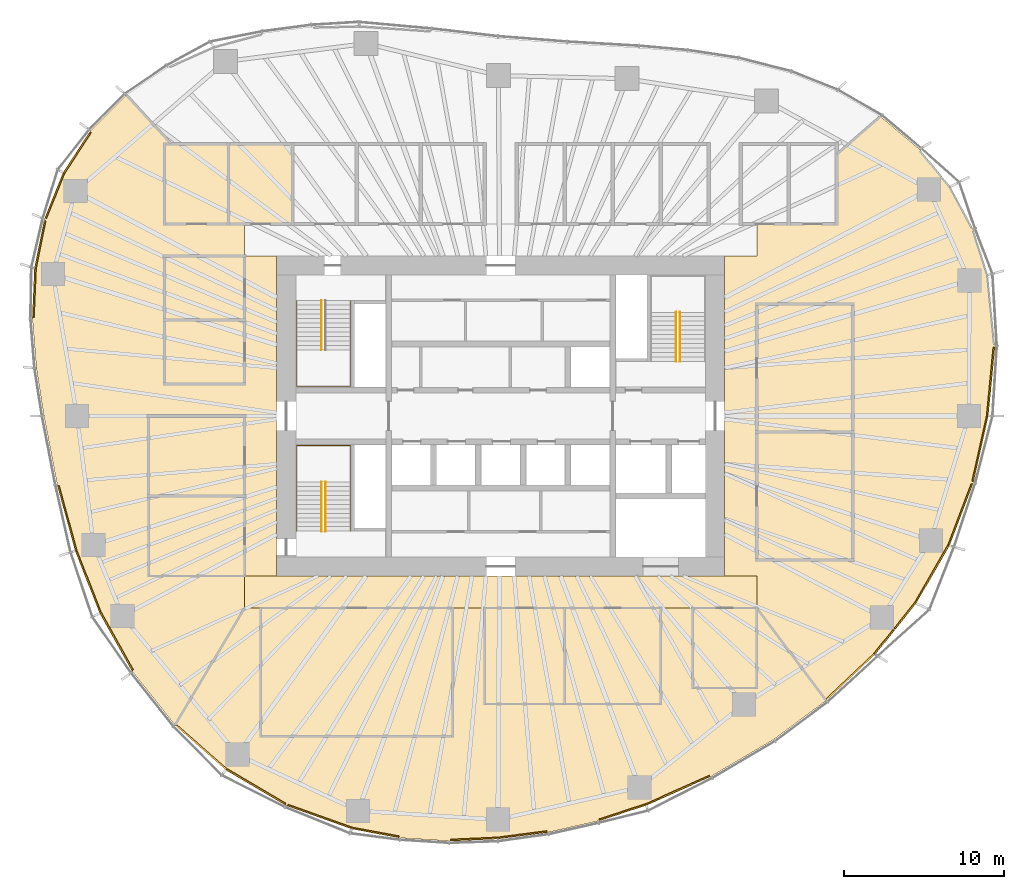
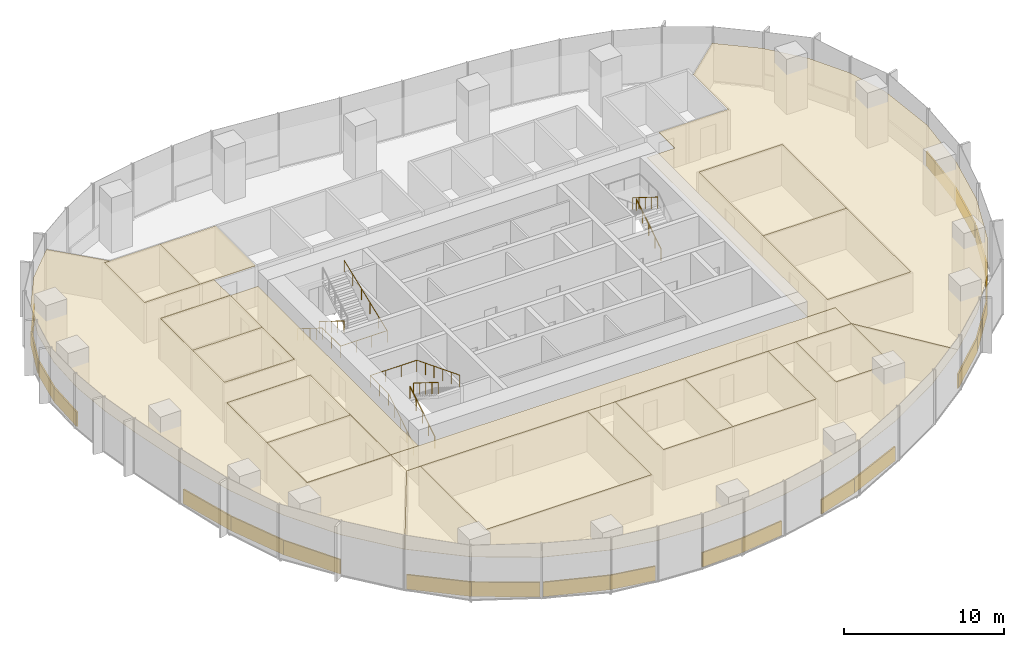
# One storey, part 17 of 18: 38 coverings, 7 railings.
"""IFC4 building model written with IfcOpenShell, lengths in metres."""

from ifc_helpers import new_model, si_unit, direction, frame, origin, origin_2d, place, context, subcontext, project, spatial, polyline, rectangle, circle, outline, extrude, material, layer, layer_set, type_object, element, save


model = new_model("IFC4")

# Units and contexts
model_context = context("Model", 3, precision=1e-05, world=origin(), true_north=direction((0.0, 1.0)))
body_context = subcontext(model_context, "Body", "Model", "MODEL_VIEW")
ifc_project = project(units=[si_unit("LENGTHUNIT", "METRE"), si_unit("AREAUNIT", "SQUARE_METRE"), si_unit("VOLUMEUNIT", "CUBIC_METRE"), si_unit("PLANEANGLEUNIT", "RADIAN"), si_unit("MASSUNIT", "GRAM", prefix="KILO")], contexts=[model_context])

# Site, building, storey
site_placement = place(None, origin())
site = spatial("IfcSite", under=ifc_project, at=site_placement, CompositionType="ELEMENT")
building_placement = place(site_placement, origin())
building = spatial("IfcBuilding", under=site, at=building_placement, Name="Ghaith Harvest Tower", CompositionType="ELEMENT")
storey_placement = place(building_placement, frame((0.0, 0.0, 138.60009765625)))
storey = spatial("IfcBuildingStorey", under=building, at=storey_placement, Name="L29", CompositionType="ELEMENT", Elevation=138.60009765625)

# Coverings
ifc_material_1 = material(Name="Mineral fibre ceiling tile", Category="gypsum")
ifc_layer_1 = layer(ifc_material_1, 0.02001953125)
ifc_layer_set_1 = layer_set([ifc_layer_1], Name="CEILING C1")
covering_type_1 = type_object("IfcCoveringType", Name="CEILING C1", PredefinedType="CEILING", material=ifc_layer_set_1)
covering_1_placement = place(storey_placement, frame((0.0, 0.0, 3.0)))
element("IfcCovering", 1, at=covering_1_placement, inside=storey, type_object=covering_type_1, Name="Ceiling L29-01", PredefinedType="CEILING", context=body_context, shape_type="SweptSolid", body=[
    extrude(outline(polyline([(-15.0, -20.0), (-3.0, -20.0), (-3.0, -12.0), (-15.0, -12.0), (-15.0, -20.0)])), origin(), (0.0, 0.0, 1.0), 0.02001953125),
])
covering_2_placement = place(storey_placement, frame((0.0, 0.0, 3.0)))
element("IfcCovering", 2, at=covering_2_placement, inside=storey, type_object=covering_type_1, Name="Ceiling L29-02", PredefinedType="CEILING", context=body_context, shape_type="SweptSolid", body=[
    extrude(outline(polyline([(-1.0, -18.0), (4.0, -18.0), (4.0, -12.0), (-1.0, -12.0), (-1.0, -18.0)])), origin(), (0.0, 0.0, 1.0), 0.02001953125),
])
covering_3_placement = place(storey_placement, frame((0.0, 0.0, 3.0)))
element("IfcCovering", 3, at=covering_3_placement, inside=storey, type_object=covering_type_1, Name="Ceiling L29-03", PredefinedType="CEILING", context=body_context, shape_type="SweptSolid", body=[
    extrude(outline(polyline([(4.0, -18.0), (10.0, -18.0), (10.0, -12.0), (4.0, -12.0), (4.0, -18.0)])), origin(), (0.0, 0.0, 1.0), 0.02001953125),
])
covering_4_placement = place(storey_placement, frame((0.0, 0.0, 3.0)))
element("IfcCovering", 4, at=covering_4_placement, inside=storey, type_object=covering_type_1, Name="Ceiling L29-04", PredefinedType="CEILING", context=body_context, shape_type="SweptSolid", body=[
    extrude(outline(polyline([(-21.0, 12.0), (-17.0, 12.0), (-17.0, 17.0), (-21.0, 17.0), (-21.0, 12.0)])), origin(), (0.0, 0.0, 1.0), 0.02001953125),
])
covering_5_placement = place(storey_placement, frame((0.0, 0.0, 3.0)))
element("IfcCovering", 5, at=covering_5_placement, inside=storey, type_object=covering_type_1, Name="Ceiling L29-05", PredefinedType="CEILING", context=body_context, shape_type="SweptSolid", body=[
    extrude(outline(polyline([(-17.0, 12.0), (-13.0, 12.0), (-13.0, 17.0), (-17.0, 17.0), (-17.0, 12.0)])), origin(), (0.0, 0.0, 1.0), 0.02001953125),
])
covering_6_placement = place(storey_placement, frame((0.0, 0.0, 3.0)))
element("IfcCovering", 6, at=covering_6_placement, inside=storey, type_object=covering_type_1, Name="Ceiling L29-13", PredefinedType="CEILING", context=body_context, shape_type="SweptSolid", body=[
    extrude(outline(polyline([(16.0, -9.0), (22.0, -9.0), (22.0, -1.0), (16.0, -1.0), (16.0, -9.0)])), origin(), (0.0, 0.0, 1.0), 0.02001953125),
])
covering_7_placement = place(storey_placement, frame((0.0, 0.0, 3.0)))
element("IfcCovering", 7, at=covering_7_placement, inside=storey, type_object=covering_type_1, Name="Ceiling L29-14", PredefinedType="CEILING", context=body_context, shape_type="SweptSolid", body=[
    extrude(outline(polyline([(16.0, -1.0), (22.0, -1.0), (22.0, 7.0), (16.0, 7.0), (16.0, -1.0)])), origin(), (0.0, 0.0, 1.0), 0.02001953125),
])
covering_8_placement = place(storey_placement, frame((0.0, 0.0, 3.0)))
element("IfcCovering", 8, at=covering_8_placement, inside=storey, type_object=covering_type_1, Name="Ceiling L29-15", PredefinedType="CEILING", context=body_context, shape_type="SweptSolid", body=[
    extrude(outline(polyline([(-22.0, -10.0), (-16.0, -10.0), (-16.0, -5.0), (-22.0, -5.0), (-22.0, -10.0)])), origin(), (0.0, 0.0, 1.0), 0.02001953125),
])
covering_9_placement = place(storey_placement, frame((0.0, 0.0, 3.0)))
element("IfcCovering", 9, at=covering_9_placement, inside=storey, type_object=covering_type_1, Name="Ceiling L29-16", PredefinedType="CEILING", context=body_context, shape_type="SweptSolid", body=[
    extrude(outline(polyline([(-22.0, -5.0), (-16.0, -5.0), (-16.0, 0.0), (-22.0, 0.0), (-22.0, -5.0)])), origin(), (0.0, 0.0, 1.0), 0.02001953125),
])
covering_10_placement = place(storey_placement, frame((0.0, 0.0, 3.0)))
element("IfcCovering", 10, at=covering_10_placement, inside=storey, type_object=covering_type_1, Name="Ceiling L29-19", PredefinedType="CEILING", context=body_context, shape_type="SweptSolid", body=[
    extrude(outline(polyline([(12.0, -17.0), (16.0, -17.0), (16.0, -12.0), (12.0, -12.0), (12.0, -17.0)])), origin(), (0.0, 0.0, 1.0), 0.02001953125),
])
covering_11_placement = place(storey_placement, frame((0.0, 0.0, 3.0)))
element("IfcCovering", 11, at=covering_11_placement, inside=storey, type_object=covering_type_1, Name="Ceiling L29-20", PredefinedType="CEILING", context=body_context, shape_type="SweptSolid", body=[
    extrude(outline(polyline([(-21.0, 2.0), (-16.0, 2.0), (-16.0, 6.0), (-21.0, 6.0), (-21.0, 2.0)])), origin(), (0.0, 0.0, 1.0), 0.02001953125),
])
covering_12_placement = place(storey_placement, frame((0.0, 0.0, 3.0)))
element("IfcCovering", 12, at=covering_12_placement, inside=storey, type_object=covering_type_1, Name="Ceiling L29-21", PredefinedType="CEILING", context=body_context, shape_type="SweptSolid", body=[
    extrude(outline(polyline([(-21.0, 6.0), (-16.0, 6.0), (-16.0, 10.0), (-21.0, 10.0), (-21.0, 6.0)])), origin(), (0.0, 0.0, 1.0), 0.02001953125),
])
covering_13_placement = place(storey_placement, frame((0.0, 0.0, 3.0)))
element("IfcCovering", 13, at=covering_13_placement, inside=storey, type_object=covering_type_1, Name="Ceiling L29-C2", PredefinedType="CEILING", context=body_context, shape_type="SweptSolid", body=[
    extrude(outline(polyline([(-16.0, -10.0), (16.0, -10.0), (16.0, -12.0), (-16.0, -12.0), (-16.0, -10.0)])), origin(), (0.0, 0.0, 1.0), 0.02001953125),
])
covering_14_placement = place(storey_placement, frame((0.0, 0.0, 3.0)))
element("IfcCovering", 14, at=covering_14_placement, inside=storey, type_object=covering_type_1, Name="Ceiling L29-E1", PredefinedType="CEILING", context=body_context, shape_type="SweptSolid", body=[
    extrude(outline(polyline([(26.179443359375, 16.660888671875), (28.0888671875, 14.32568359375), (29.52294921875, 11.671875), (30.439208984375, 8.797607421875), (30.8798828125, 4.373046875), (30.458740234375, 0.0), (29.527099609375, -4.181396484375), (28.03125, -8.1015625), (25.94775390625, -11.714111328125), (23.400390625, -14.89208984375), (20.33935546875, -17.784912109375), (16.0, -12.0), (16.0, -10.0), (14.0, -10.0), (14.0, 10.0), (16.0, 10.0), (16.0, 12.0), (21.0, 12.0), (21.0, 16.3466796875), (23.7275390625, 18.718017578125), (26.179443359375, 16.660888671875)]), holes=[polyline([(16.0, 7.0), (16.0, -9.0), (22.0, -9.0), (22.0, 7.0), (16.0, 7.0)])]), origin(), (0.0, 0.0, 1.0), 0.02001953125),
])
covering_15_placement = place(storey_placement, frame((0.0, 0.0, 3.0)))
element("IfcCovering", 15, at=covering_15_placement, inside=storey, type_object=covering_type_1, Name="Ceiling L29-S1", PredefinedType="CEILING", context=body_context, shape_type="SweptSolid", body=[
    extrude(outline(polyline([(17.054443359375, -20.22412109375), (13.163818359375, -22.510498046875), (9.09423828125, -24.326904296875), (6.09228515625, -25.308837890625), (2.99609375, -26.010009765625), (-0.180908203125, -26.423583984375), (-3.204833984375, -26.556884765625), (-6.2666015625, -26.366455078125), (-9.317138671875, -25.79638671875), (-13.4052734375, -24.33740234375), (-17.1728515625, -22.11181640625), (-20.35400390625, -19.31396484375), (-16.0, -12.0), (-15.0, -12.0), (-15.0, -20.0), (-3.0, -20.0), (-3.0, -12.0), (-1.0, -12.0), (-1.0, -18.0), (10.0, -18.0), (10.0, -12.0), (12.0, -12.0), (12.0, -17.0), (16.0, -17.0), (16.0, -12.0), (20.33935546875, -17.784912109375), (17.054443359375, -20.22412109375)])), origin(), (0.0, 0.0, 1.0), 0.02001953125),
])
covering_16_placement = place(storey_placement, frame((0.0, 0.0, 3.0)))
element("IfcCovering", 16, at=covering_16_placement, inside=storey, type_object=covering_type_1, Name="Ceiling L29-W1", PredefinedType="CEILING", context=body_context, shape_type="SweptSolid", body=[
    extrude(outline(polyline([(-29.12646484375, 9.230712890625), (-28.506591796875, 12.29638671875), (-27.33837890625, 15.204833984375), (-25.61962890625, 17.826416015625), (-23.398193359375, 20.06103515625), (-20.5888671875, 17.0), (-21.0, 17.0), (-21.0, 12.0), (-16.0, 12.0), (-16.0, 10.010009765625), (-21.010009765625, 10.010009765625), (-21.010009765625, 1.989990234375), (-15.989990234375, 1.989990234375), (-15.989990234375, 10.0), (-14.0, 10.0), (-14.0, -10.0), (-15.989990234375, -10.0), (-15.989990234375, 0.010009765625), (-22.010009765625, 0.010009765625), (-22.010009765625, -10.010009765625), (-16.0, -10.010009765625), (-16.0, -12.0), (-20.35400390625, -19.31396484375), (-22.99169921875, -15.997802734375), (-25.046875, -12.32861328125), (-26.580078125, -8.423583984375), (-27.70947265625, -4.285888671875), (-28.541259765625, 0.0), (-29.01171875, 2.978271484375), (-29.260498046875, 6.07177734375), (-29.12646484375, 9.230712890625)])), origin(), (0.0, 0.0, 1.0), 0.02001953125),
])

# Railings
ifc_material_2 = material(Name="Steel, black powder-coated", Category="steel")
railing_type = type_object("IfcRailingType", Name="HANDRAIL HR1", PredefinedType="HANDRAIL", material=ifc_material_2)
railing_1_placement = place(storey_placement, frame((-11.199951171875, 7.199951171875, 0.1748046875)))
element("IfcRailing", 17, at=railing_1_placement, inside=storey, type_object=railing_type, Name="Handrail HR1 stair ST1 L29 flight 1 inner", PredefinedType="HANDRAIL", context=body_context, shape_type="SweptSolid", body=[
    extrude(circle(Radius=0.02392578125, at=origin_2d()), frame((0.0, 0.0, 0.8759765625), z_axis=(0.0, -0.847979421464, 0.530029150871), x_axis=(1.0, 0.0, 0.0)), (0.0, 0.0, 1.0), 3.632080078125),
    extrude(circle(Radius=0.02099609375, at=origin_2d()), origin(), (0.0, 0.0, 1.0), 0.851806640625),
    extrude(circle(Radius=0.02099609375, at=origin_2d()), frame((0.0, -0.77001953125, 0.481201171875)), (0.0, 0.0, 1.0), 0.851806640625),
    extrude(circle(Radius=0.02099609375, at=origin_2d()), frame((0.0, -1.5400390625, 0.96240234375)), (0.0, 0.0, 1.0), 0.851806640625),
    extrude(circle(Radius=0.02099609375, at=origin_2d()), frame((0.0, -2.309814453125, 1.44384765625)), (0.0, 0.0, 1.0), 0.851806640625),
    extrude(circle(Radius=0.02099609375, at=origin_2d()), frame((0.0, -3.079833984375, 1.925048828125)), (0.0, 0.0, 1.0), 0.851806640625),
])
railing_2_placement = place(storey_placement, frame((-12.75, 7.199951171875, 0.1748046875)))
element("IfcRailing", 18, at=railing_2_placement, inside=storey, type_object=railing_type, Name="Handrail HR1 stair ST1 L29 wall side", PredefinedType="HANDRAIL", context=body_context, shape_type="SweptSolid", body=[
    extrude(circle(Radius=0.02392578125, at=origin_2d()), frame((0.0, 0.0, 0.8759765625), z_axis=(0.0, -0.847979421464, 0.530029150871), x_axis=(1.0, 0.0, 0.0)), (0.0, 0.0, 1.0), 3.632080078125),
    extrude(circle(Radius=0.02392578125, at=origin_2d()), frame((0.0, -3.079833984375, 2.80078125), z_axis=(0.0, -1.0, 0.0), x_axis=(1.0, 0.0, 0.0)), (0.0, 0.0, 1.0), 2.27001953125),
    extrude(circle(Radius=0.02392578125, at=origin_2d()), frame((0.0, -5.349853515625, 2.80078125), z_axis=(1.0, 0.0, 0.0), x_axis=(0.0, 1.0, 0.0)), (0.0, 0.0, 1.0), 3.35009765625),
    extrude(circle(Radius=0.02392578125, at=origin_2d()), frame((3.35009765625, -5.349853515625, 2.80078125), z_axis=(0.0, 0.930848013298, 0.36540659017), x_axis=(-1.0, 0.0, 0.0)), (0.0, 0.0, 1.0), 5.747314453125),
    extrude(circle(Radius=0.02099609375, at=origin_2d()), origin(), (0.0, 0.0, 1.0), 0.851806640625),
    extrude(circle(Radius=0.02099609375, at=origin_2d()), frame((0.0, -0.77001953125, 0.481201171875)), (0.0, 0.0, 1.0), 0.851806640625),
    extrude(circle(Radius=0.02099609375, at=origin_2d()), frame((0.0, -1.5400390625, 0.96240234375)), (0.0, 0.0, 1.0), 0.851806640625),
    extrude(circle(Radius=0.02099609375, at=origin_2d()), frame((0.0, -2.309814453125, 1.44384765625)), (0.0, 0.0, 1.0), 0.851806640625),
    extrude(circle(Radius=0.02099609375, at=origin_2d()), frame((0.0, -3.079833984375, 1.925048828125)), (0.0, 0.0, 1.0), 0.851806640625),
    extrude(circle(Radius=0.02099609375, at=origin_2d()), frame((0.0, -4.21484375, 1.925048828125)), (0.0, 0.0, 1.0), 0.851806640625),
    extrude(circle(Radius=0.02099609375, at=origin_2d()), frame((0.0, -5.349853515625, 1.925048828125)), (0.0, 0.0, 1.0), 0.851806640625),
    extrude(circle(Radius=0.02099609375, at=origin_2d()), frame((1.11669921875, -5.349853515625, 1.925048828125)), (0.0, 0.0, 1.0), 0.851806640625),
    extrude(circle(Radius=0.02099609375, at=origin_2d()), frame((2.2333984375, -5.349853515625, 1.925048828125)), (0.0, 0.0, 1.0), 0.851806640625),
    extrude(circle(Radius=0.02099609375, at=origin_2d()), frame((3.35009765625, -5.349853515625, 1.925048828125)), (0.0, 0.0, 1.0), 0.851806640625),
    extrude(circle(Radius=0.02099609375, at=origin_2d()), frame((3.35009765625, -4.27978515625, 2.344970703125)), (0.0, 0.0, 1.0), 0.851806640625),
    extrude(circle(Radius=0.02099609375, at=origin_2d()), frame((3.35009765625, -3.2099609375, 2.76513671875)), (0.0, 0.0, 1.0), 0.851806640625),
    extrude(circle(Radius=0.02099609375, at=origin_2d()), frame((3.35009765625, -2.139892578125, 3.18505859375)), (0.0, 0.0, 1.0), 0.851806640625),
    extrude(circle(Radius=0.02099609375, at=origin_2d()), frame((3.35009765625, -1.070068359375, 3.605224609375)), (0.0, 0.0, 1.0), 0.851806640625),
    extrude(circle(Radius=0.02099609375, at=origin_2d()), frame((3.35009765625, 0.0, 4.025146484375)), (0.0, 0.0, 1.0), 0.851806640625),
])
railing_3_placement = place(storey_placement, frame((-11.199951171875, -7.199951171875, 0.1748046875)))
element("IfcRailing", 19, at=railing_3_placement, inside=storey, type_object=railing_type, Name="Handrail HR1 stair ST3 L29 flight 1 inner", PredefinedType="HANDRAIL", context=body_context, shape_type="SweptSolid", body=[
    extrude(circle(Radius=0.02392578125, at=origin_2d()), frame((0.0, 0.0, 0.8759765625), z_axis=(0.0, 0.847979421464, 0.530029150871), x_axis=(-1.0, 0.0, 0.0)), (0.0, 0.0, 1.0), 3.632080078125),
    extrude(circle(Radius=0.02099609375, at=origin_2d()), origin(), (0.0, 0.0, 1.0), 0.851806640625),
    extrude(circle(Radius=0.02099609375, at=origin_2d()), frame((0.0, 0.77001953125, 0.481201171875)), (0.0, 0.0, 1.0), 0.851806640625),
    extrude(circle(Radius=0.02099609375, at=origin_2d()), frame((0.0, 1.5400390625, 0.96240234375)), (0.0, 0.0, 1.0), 0.851806640625),
    extrude(circle(Radius=0.02099609375, at=origin_2d()), frame((0.0, 2.309814453125, 1.44384765625)), (0.0, 0.0, 1.0), 0.851806640625),
    extrude(circle(Radius=0.02099609375, at=origin_2d()), frame((0.0, 3.079833984375, 1.925048828125)), (0.0, 0.0, 1.0), 0.851806640625),
])
railing_4_placement = place(storey_placement, frame((-10.949951171875, -4.1201171875, 2.27490234375)))
element("IfcRailing", 20, at=railing_4_placement, inside=storey, type_object=railing_type, Name="Handrail HR1 stair ST3 L29 flight 2 inner", PredefinedType="HANDRAIL", context=body_context, shape_type="SweptSolid", body=[
    extrude(circle(Radius=0.02392578125, at=origin_2d()), frame((0.0, 0.0, 0.8759765625), z_axis=(0.0, -0.847979421464, 0.530029150871), x_axis=(1.0, 0.0, 0.0)), (0.0, 0.0, 1.0), 3.632080078125),
    extrude(circle(Radius=0.02099609375, at=origin_2d()), origin(), (0.0, 0.0, 1.0), 0.851806640625),
    extrude(circle(Radius=0.02099609375, at=origin_2d()), frame((0.0, -0.77001953125, 0.481201171875)), (0.0, 0.0, 1.0), 0.851806640625),
    extrude(circle(Radius=0.02099609375, at=origin_2d()), frame((0.0, -1.5400390625, 0.96240234375)), (0.0, 0.0, 1.0), 0.851806640625),
    extrude(circle(Radius=0.02099609375, at=origin_2d()), frame((0.0, -2.309814453125, 1.44384765625)), (0.0, 0.0, 1.0), 0.851806640625),
    extrude(circle(Radius=0.02099609375, at=origin_2d()), frame((0.0, -3.079833984375, 1.925048828125)), (0.0, 0.0, 1.0), 0.851806640625),
])
railing_5_placement = place(storey_placement, frame((-12.75, -7.199951171875, 0.1748046875)))
element("IfcRailing", 21, at=railing_5_placement, inside=storey, type_object=railing_type, Name="Handrail HR1 stair ST3 L29 wall side", PredefinedType="HANDRAIL", context=body_context, shape_type="SweptSolid", body=[
    extrude(circle(Radius=0.02392578125, at=origin_2d()), frame((0.0, 0.0, 0.8759765625), z_axis=(0.0, 0.847979421464, 0.530029150871), x_axis=(-1.0, 0.0, 0.0)), (0.0, 0.0, 1.0), 3.632080078125),
    extrude(circle(Radius=0.02392578125, at=origin_2d()), frame((0.0, 3.079833984375, 2.80078125), z_axis=(0.0, 1.0, 0.0), x_axis=(-1.0, 0.0, 0.0)), (0.0, 0.0, 1.0), 2.27001953125),
    extrude(circle(Radius=0.02392578125, at=origin_2d()), frame((0.0, 5.349853515625, 2.80078125), z_axis=(1.0, 0.0, 0.0), x_axis=(0.0, 1.0, 0.0)), (0.0, 0.0, 1.0), 3.35009765625),
    extrude(circle(Radius=0.02392578125, at=origin_2d()), frame((3.35009765625, 5.349853515625, 2.80078125), z_axis=(0.0, -0.930848013298, 0.36540659017), x_axis=(1.0, 0.0, 0.0)), (0.0, 0.0, 1.0), 5.747314453125),
    extrude(circle(Radius=0.02099609375, at=origin_2d()), origin(), (0.0, 0.0, 1.0), 0.851806640625),
    extrude(circle(Radius=0.02099609375, at=origin_2d()), frame((0.0, 0.77001953125, 0.481201171875)), (0.0, 0.0, 1.0), 0.851806640625),
    extrude(circle(Radius=0.02099609375, at=origin_2d()), frame((0.0, 1.5400390625, 0.96240234375)), (0.0, 0.0, 1.0), 0.851806640625),
    extrude(circle(Radius=0.02099609375, at=origin_2d()), frame((0.0, 2.309814453125, 1.44384765625)), (0.0, 0.0, 1.0), 0.851806640625),
    extrude(circle(Radius=0.02099609375, at=origin_2d()), frame((0.0, 3.079833984375, 1.925048828125)), (0.0, 0.0, 1.0), 0.851806640625),
    extrude(circle(Radius=0.02099609375, at=origin_2d()), frame((0.0, 4.21484375, 1.925048828125)), (0.0, 0.0, 1.0), 0.851806640625),
    extrude(circle(Radius=0.02099609375, at=origin_2d()), frame((0.0, 5.349853515625, 1.925048828125)), (0.0, 0.0, 1.0), 0.851806640625),
    extrude(circle(Radius=0.02099609375, at=origin_2d()), frame((1.11669921875, 5.349853515625, 1.925048828125)), (0.0, 0.0, 1.0), 0.851806640625),
    extrude(circle(Radius=0.02099609375, at=origin_2d()), frame((2.2333984375, 5.349853515625, 1.925048828125)), (0.0, 0.0, 1.0), 0.851806640625),
    extrude(circle(Radius=0.02099609375, at=origin_2d()), frame((3.35009765625, 5.349853515625, 1.925048828125)), (0.0, 0.0, 1.0), 0.851806640625),
    extrude(circle(Radius=0.02099609375, at=origin_2d()), frame((3.35009765625, 4.27978515625, 2.344970703125)), (0.0, 0.0, 1.0), 0.851806640625),
    extrude(circle(Radius=0.02099609375, at=origin_2d()), frame((3.35009765625, 3.2099609375, 2.76513671875)), (0.0, 0.0, 1.0), 0.851806640625),
    extrude(circle(Radius=0.02099609375, at=origin_2d()), frame((3.35009765625, 2.139892578125, 3.18505859375)), (0.0, 0.0, 1.0), 0.851806640625),
    extrude(circle(Radius=0.02099609375, at=origin_2d()), frame((3.35009765625, 1.070068359375, 3.605224609375)), (0.0, 0.0, 1.0), 0.851806640625),
    extrude(circle(Radius=0.02099609375, at=origin_2d()), frame((3.35009765625, 0.0, 4.025146484375)), (0.0, 0.0, 1.0), 0.851806640625),
])
railing_6_placement = place(storey_placement, frame((11.199951171875, 3.39990234375, 0.1748046875)))
element("IfcRailing", 22, at=railing_6_placement, inside=storey, type_object=railing_type, Name="Handrail HR1 stair ST2 L29 flight 1 inner", PredefinedType="HANDRAIL", context=body_context, shape_type="SweptSolid", body=[
    extrude(circle(Radius=0.02392578125, at=origin_2d()), frame((0.0, 0.0, 0.8759765625), z_axis=(0.0, 0.847998304005, 0.529998940003), x_axis=(-1.0, 0.0, 0.0)), (0.0, 0.0, 1.0), 3.632080078125),
    extrude(circle(Radius=0.02099609375, at=origin_2d()), origin(), (0.0, 0.0, 1.0), 0.851806640625),
    extrude(circle(Radius=0.02099609375, at=origin_2d()), frame((0.0, 0.77001953125, 0.481201171875)), (0.0, 0.0, 1.0), 0.851806640625),
    extrude(circle(Radius=0.02099609375, at=origin_2d()), frame((0.0, 1.5400390625, 0.96240234375)), (0.0, 0.0, 1.0), 0.851806640625),
    extrude(circle(Radius=0.02099609375, at=origin_2d()), frame((0.0, 2.31005859375, 1.44384765625)), (0.0, 0.0, 1.0), 0.851806640625),
    extrude(circle(Radius=0.02099609375, at=origin_2d()), frame((0.0, 3.080078125, 1.925048828125)), (0.0, 0.0, 1.0), 0.851806640625),
])
railing_7_placement = place(storey_placement, frame((10.949951171875, 6.47998046875, 2.27490234375)))
element("IfcRailing", 23, at=railing_7_placement, inside=storey, type_object=railing_type, Name="Handrail HR1 stair ST2 L29 flight 2 inner", PredefinedType="HANDRAIL", context=body_context, shape_type="SweptSolid", body=[
    extrude(circle(Radius=0.02392578125, at=origin_2d()), frame((0.0, 0.0, 0.8759765625), z_axis=(0.0, -0.847998304005, 0.529998940003), x_axis=(1.0, 0.0, 0.0)), (0.0, 0.0, 1.0), 3.632080078125),
    extrude(circle(Radius=0.02099609375, at=origin_2d()), origin(), (0.0, 0.0, 1.0), 0.851806640625),
    extrude(circle(Radius=0.02099609375, at=origin_2d()), frame((0.0, -0.77001953125, 0.481201171875)), (0.0, 0.0, 1.0), 0.851806640625),
    extrude(circle(Radius=0.02099609375, at=origin_2d()), frame((0.0, -1.5400390625, 0.96240234375)), (0.0, 0.0, 1.0), 0.851806640625),
    extrude(circle(Radius=0.02099609375, at=origin_2d()), frame((0.0, -2.31005859375, 1.44384765625)), (0.0, 0.0, 1.0), 0.851806640625),
    extrude(circle(Radius=0.02099609375, at=origin_2d()), frame((0.0, -3.080078125, 1.925048828125)), (0.0, 0.0, 1.0), 0.851806640625),
])

# Coverings
ifc_material_3 = material(Name="Insulated aluminium spandrel panel on steel framing", Category="steel")
ifc_layer_2 = layer(ifc_material_3, 0.10009765625)
ifc_layer_set_2 = layer_set([ifc_layer_2], Name="SLAB EDGE UPSTAND 1100x100")
covering_type_2 = type_object("IfcCoveringType", Name="SLAB EDGE UPSTAND 1100x100", PredefinedType="CLADDING", material=ifc_layer_set_2)
covering_17_placement = place(storey_placement, frame((30.61474609375, 2.1416015625, -0.000244140625), z_axis=(0.0, 0.0, 1.0), x_axis=(0.095861332319, 0.99539469808, 0.0)))
element("IfcCovering", 24, at=covering_17_placement, inside=storey, type_object=covering_type_2, Name="Slab edge upstand 1 bay 01 L29", PredefinedType="CLADDING", context=body_context, shape_type="SweptSolid", body=[
    extrude(rectangle(XDim=4.293212890625, YDim=0.10009765625, at=origin_2d()), origin(), (0.0, 0.0, 1.0), 1.10009765625),
])
covering_18_placement = place(storey_placement, frame((-26.464599609375, 16.4462890625, -0.000244140625), z_axis=(0.0, 0.0, 1.0), x_axis=(-0.548312211554, -0.836273710373, 0.0)))
element("IfcCovering", 25, at=covering_18_placement, inside=storey, type_object=covering_type_2, Name="Slab edge upstand 1 bay 09 L29", PredefinedType="CLADDING", context=body_context, shape_type="SweptSolid", body=[
    extrude(rectangle(XDim=3.03466796875, YDim=0.10009765625, at=origin_2d()), origin(), (0.0, 0.0, 1.0), 1.10009765625),
])
covering_19_placement = place(storey_placement, frame((-27.857421875, 13.7783203125, -0.000244140625), z_axis=(0.0, 0.0, 1.0), x_axis=(-0.372732078847, -0.927939005215, 0.0)))
element("IfcCovering", 26, at=covering_19_placement, inside=storey, type_object=covering_type_2, Name="Slab edge upstand 2 bay 09 L29", PredefinedType="CLADDING", context=body_context, shape_type="SweptSolid", body=[
    extrude(rectangle(XDim=3.034423828125, YDim=0.10009765625, at=origin_2d()), origin(), (0.0, 0.0, 1.0), 1.10009765625),
])
covering_20_placement = place(storey_placement, frame((-28.777587890625, 10.70458984375, -0.000244140625), z_axis=(0.0, 0.0, 1.0), x_axis=(-0.198182542943, -0.980165128778, 0.0)))
element("IfcCovering", 27, at=covering_20_placement, inside=storey, type_object=covering_type_2, Name="Slab edge upstand 3 bay 09 L29", PredefinedType="CLADDING", context=body_context, shape_type="SweptSolid", body=[
    extrude(rectangle(XDim=3.027587890625, YDim=0.10009765625, at=origin_2d()), origin(), (0.0, 0.0, 1.0), 1.10009765625),
])
covering_21_placement = place(storey_placement, frame((-29.141357421875, 7.69921875, -0.000244140625), z_axis=(0.0, 0.0, 1.0), x_axis=(-0.042372799788, -0.9991018696, 0.0)))
element("IfcCovering", 28, at=covering_21_placement, inside=storey, type_object=covering_type_2, Name="Slab edge upstand 1 bay 10 L29", PredefinedType="CLADDING", context=body_context, shape_type="SweptSolid", body=[
    extrude(rectangle(XDim=3.061767578125, YDim=0.10009765625, at=origin_2d()), origin(), (0.0, 0.0, 1.0), 1.10009765625),
])
covering_22_placement = place(storey_placement, frame((-27.08349609375, -6.389892578125, -0.000244140625), z_axis=(0.0, 0.0, 1.0), x_axis=(0.263287721652, -0.964717355305, 0.0)))
element("IfcCovering", 29, at=covering_22_placement, inside=storey, type_object=covering_type_2, Name="Slab edge upstand 2 bay 11 L29", PredefinedType="CLADDING", context=body_context, shape_type="SweptSolid", body=[
    extrude(rectangle(XDim=4.189208984375, YDim=0.10009765625, at=origin_2d()), origin(), (0.0, 0.0, 1.0), 1.10009765625),
])
covering_23_placement = place(storey_placement, frame((-25.76708984375, -10.35791015625, -0.000244140625), z_axis=(0.0, 0.0, 1.0), x_axis=(0.365514970008, -0.930805461254, 0.0)))
element("IfcCovering", 30, at=covering_23_placement, inside=storey, type_object=covering_type_2, Name="Slab edge upstand 1 bay 12 L29", PredefinedType="CLADDING", context=body_context, shape_type="SweptSolid", body=[
    extrude(rectangle(XDim=4.195068359375, YDim=0.10009765625, at=origin_2d()), origin(), (0.0, 0.0, 1.0), 1.10009765625),
])
covering_24_placement = place(storey_placement, frame((-24.0, -14.09521484375, -0.000244140625), z_axis=(0.0, 0.0, 1.0), x_axis=(0.488683758288, -0.872460993045, 0.0)))
element("IfcCovering", 31, at=covering_24_placement, inside=storey, type_object=covering_type_2, Name="Slab edge upstand 2 bay 12 L29", PredefinedType="CLADDING", context=body_context, shape_type="SweptSolid", body=[
    extrude(rectangle(XDim=4.10546875, YDim=0.10009765625, at=origin_2d()), origin(), (0.0, 0.0, 1.0), 1.10009765625),
])
covering_25_placement = place(storey_placement, frame((-18.69287109375, -20.70849609375, -0.000244140625), z_axis=(0.0, 0.0, 1.0), x_axis=(0.75089221411, -0.660424774511, 0.0)))
element("IfcCovering", 32, at=covering_25_placement, inside=storey, type_object=covering_type_2, Name="Slab edge upstand 2 bay 13 L29", PredefinedType="CLADDING", context=body_context, shape_type="SweptSolid", body=[
    extrude(rectangle(XDim=4.136474609375, YDim=0.10009765625, at=origin_2d()), origin(), (0.0, 0.0, 1.0), 1.10009765625),
])
covering_26_placement = place(storey_placement, frame((-15.306640625, -23.15625, -0.000244140625), z_axis=(0.0, 0.0, 1.0), x_axis=(0.861020519069, -0.508570217121, 0.0)))
element("IfcCovering", 33, at=covering_26_placement, inside=storey, type_object=covering_type_2, Name="Slab edge upstand 1 bay 14 L29", PredefinedType="CLADDING", context=body_context, shape_type="SweptSolid", body=[
    extrude(rectangle(XDim=4.27587890625, YDim=0.10009765625, at=origin_2d()), origin(), (0.0, 0.0, 1.0), 1.10009765625),
])
covering_27_placement = place(storey_placement, frame((-11.29736328125, -25.03662109375, -0.000244140625), z_axis=(0.0, 0.0, 1.0), x_axis=(0.941807015649, -0.336154049915, 0.0)))
element("IfcCovering", 34, at=covering_27_placement, inside=storey, type_object=covering_type_2, Name="Slab edge upstand 2 bay 14 L29", PredefinedType="CLADDING", context=body_context, shape_type="SweptSolid", body=[
    extrude(rectangle(XDim=4.24072265625, YDim=0.10009765625, at=origin_2d()), origin(), (0.0, 0.0, 1.0), 1.10009765625),
])
covering_28_placement = place(storey_placement, frame((-7.831787109375, -26.023193359375, -0.000244140625), z_axis=(0.0, 0.0, 1.0), x_axis=(0.982990071164, -0.183658705191, 0.0)))
element("IfcCovering", 35, at=covering_28_placement, inside=storey, type_object=covering_type_2, Name="Slab edge upstand 1 bay 15 L29", PredefinedType="CLADDING", context=body_context, shape_type="SweptSolid", body=[
    extrude(rectangle(XDim=3.003173828125, YDim=0.10009765625, at=origin_2d()), origin(), (0.0, 0.0, 1.0), 1.10009765625),
])
covering_29_placement = place(storey_placement, frame((-1.64501953125, -26.43798828125, -0.000244140625), z_axis=(0.0, 0.0, 1.0), x_axis=(0.999029547734, 0.044045008275, 0.0)))
element("IfcCovering", 36, at=covering_29_placement, inside=storey, type_object=covering_type_2, Name="Slab edge upstand 3 bay 15 L29", PredefinedType="CLADDING", context=body_context, shape_type="SweptSolid", body=[
    extrude(rectangle(XDim=2.927001953125, YDim=0.10009765625, at=origin_2d()), origin(), (0.0, 0.0, 1.0), 1.10009765625),
])
covering_30_placement = place(storey_placement, frame((1.3515625, -26.173583984375, -0.000244140625), z_axis=(0.0, 0.0, 1.0), x_axis=(0.991633707242, 0.129083657611, 0.0)))
element("IfcCovering", 37, at=covering_30_placement, inside=storey, type_object=covering_type_2, Name="Slab edge upstand 1 bay 16 L29", PredefinedType="CLADDING", context=body_context, shape_type="SweptSolid", body=[
    extrude(rectangle(XDim=3.103759765625, YDim=0.10009765625, at=origin_2d()), origin(), (0.0, 0.0, 1.0), 1.10009765625),
])
covering_31_placement = place(storey_placement, frame((7.625244140625, -24.754638671875, -0.000244140625), z_axis=(0.0, 0.0, 1.0), x_axis=(0.950441392134, 0.310903779518, 0.0)))
element("IfcCovering", 38, at=covering_31_placement, inside=storey, type_object=covering_type_2, Name="Slab edge upstand 3 bay 16 L29", PredefinedType="CLADDING", context=body_context, shape_type="SweptSolid", body=[
    extrude(rectangle(XDim=3.05859375, YDim=0.10009765625, at=origin_2d()), origin(), (0.0, 0.0, 1.0), 1.10009765625),
])
covering_32_placement = place(storey_placement, frame((11.06298828125, -23.393310546875, -0.000244140625), z_axis=(0.0, 0.0, 1.0), x_axis=(0.913170343632, 0.407578119519, 0.0)))
element("IfcCovering", 39, at=covering_32_placement, inside=storey, type_object=covering_type_2, Name="Slab edge upstand 1 bay 17 L29", PredefinedType="CLADDING", context=body_context, shape_type="SweptSolid", body=[
    extrude(rectangle(XDim=4.356689453125, YDim=0.10009765625, at=origin_2d()), origin(), (0.0, 0.0, 1.0), 1.10009765625),
])
covering_33_placement = place(storey_placement, frame((21.871826171875, -16.267822265625, -0.000244140625), z_axis=(0.0, 0.0, 1.0), x_axis=(0.72680962062, 0.686838973395, 0.0)))
element("IfcCovering", 40, at=covering_33_placement, inside=storey, type_object=covering_type_2, Name="Slab edge upstand 2 bay 18 L29", PredefinedType="CLADDING", context=body_context, shape_type="SweptSolid", body=[
    extrude(rectangle(XDim=4.111572265625, YDim=0.10009765625, at=origin_2d()), origin(), (0.0, 0.0, 1.0), 1.10009765625),
])
covering_34_placement = place(storey_placement, frame((23.95263671875, -14.123046875, -0.000244140625), z_axis=(0.0, 0.0, 1.0), x_axis=(0.625468377377, 0.780249517079, 0.0)))
element("IfcCovering", 41, at=covering_34_placement, inside=storey, type_object=covering_type_2, Name="Slab edge upstand 1 bay 19 L29", PredefinedType="CLADDING", context=body_context, shape_type="SweptSolid", body=[
    extrude(rectangle(XDim=1.89111328125, YDim=0.10009765625, at=origin_2d()), origin(), (0.0, 0.0, 1.0), 1.10009765625),
])
covering_35_placement = place(storey_placement, frame((25.266845703125, -12.483642578125, -0.000244140625), z_axis=(0.0, 0.0, 1.0), x_axis=(0.625468377377, 0.780249517079, 0.0)))
element("IfcCovering", 42, at=covering_35_placement, inside=storey, type_object=covering_type_2, Name="Slab edge upstand 1 bay 19 L29", PredefinedType="CLADDING", context=body_context, shape_type="SweptSolid", body=[
    extrude(rectangle(XDim=2.052490234375, YDim=0.10009765625, at=origin_2d()), origin(), (0.0, 0.0, 1.0), 1.10009765625),
])
covering_36_placement = place(storey_placement, frame((26.9462890625, -9.8828125, -0.000244140625), z_axis=(0.0, 0.0, 1.0), x_axis=(0.499596169173, 0.866258430117, 0.0)))
element("IfcCovering", 43, at=covering_36_placement, inside=storey, type_object=covering_type_2, Name="Slab edge upstand 2 bay 19 L29", PredefinedType="CLADDING", context=body_context, shape_type="SweptSolid", body=[
    extrude(rectangle(XDim=4.170166015625, YDim=0.10009765625, at=origin_2d()), origin(), (0.0, 0.0, 1.0), 1.10009765625),
])
covering_37_placement = place(storey_placement, frame((28.714599609375, -6.17041015625, -0.000244140625), z_axis=(0.0, 0.0, 1.0), x_axis=(0.356503850378, 0.934293853488, 0.0)))
element("IfcCovering", 44, at=covering_37_placement, inside=storey, type_object=covering_type_2, Name="Slab edge upstand 1 bay 20 L29", PredefinedType="CLADDING", context=body_context, shape_type="SweptSolid", body=[
    extrude(rectangle(XDim=4.095947265625, YDim=0.10009765625, at=origin_2d()), origin(), (0.0, 0.0, 1.0), 1.10009765625),
])
covering_38_placement = place(storey_placement, frame((29.955078125, -2.031005859375, -0.000244140625), z_axis=(0.0, 0.0, 1.0), x_axis=(0.217466241983, 0.976067842723, 0.0)))
element("IfcCovering", 45, at=covering_38_placement, inside=storey, type_object=covering_type_2, Name="Slab edge upstand 2 bay 20 L29", PredefinedType="CLADDING", context=body_context, shape_type="SweptSolid", body=[
    extrude(rectangle(XDim=4.183837890625, YDim=0.10009765625, at=origin_2d()), origin(), (0.0, 0.0, 1.0), 1.10009765625),
])

save(model, "model.ifc")
